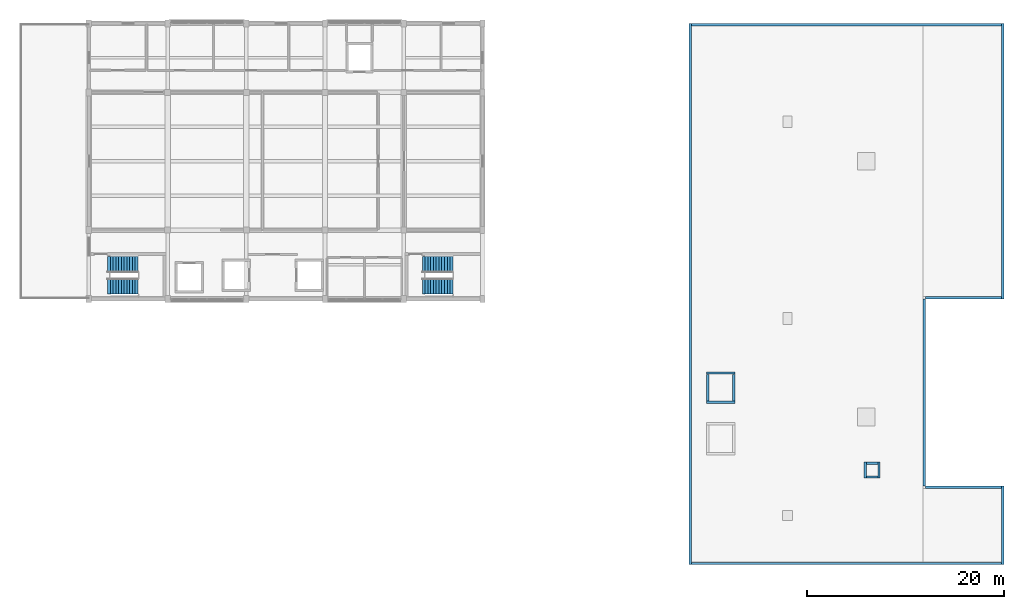
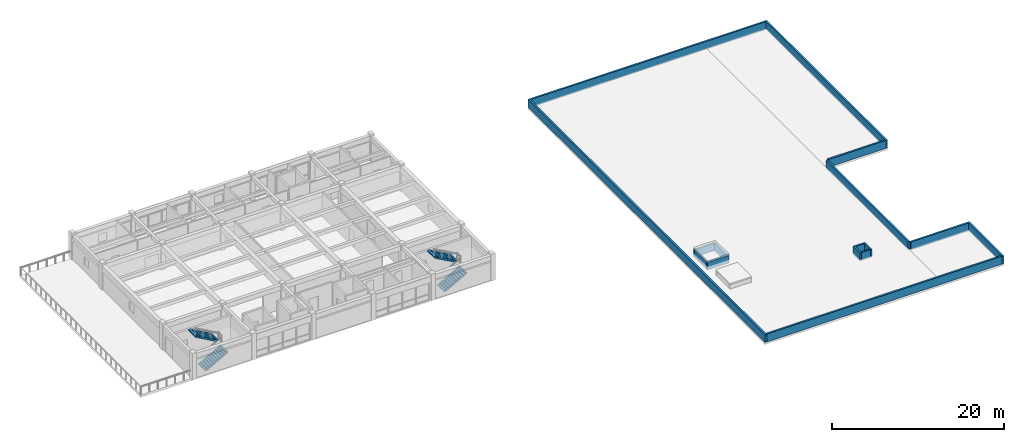
# One storey, part 8 of 10: 16 walls, 4 stair flights, 2 elements without a shape of their own.
"""IFC4 building model written with IfcOpenShell, lengths in metres."""

from ifc_helpers import new_model, si_unit, direction, frame, frame_2d, origin, place, context, subcontext, project, spatial, polyline, rectangle, outline, extrude, material, layer, layer_set, type_object, element, aggregate, save


model = new_model("IFC4")

# Units and contexts
model_context = context("Model", 3, precision=1e-05, world=origin(), true_north=direction((0.0, 1.0)))
body_context = subcontext(model_context, "Body", "Model", "MODEL_VIEW")
ifc_project = project(units=[si_unit("LENGTHUNIT", "METRE"), si_unit("AREAUNIT", "SQUARE_METRE"), si_unit("VOLUMEUNIT", "CUBIC_METRE"), si_unit("PLANEANGLEUNIT", "RADIAN"), si_unit("MASSUNIT", "GRAM", prefix="KILO")], contexts=[model_context])

# Site, building, storey
site_placement = place(None, origin())
site = spatial("IfcSite", under=ifc_project, at=site_placement, CompositionType="ELEMENT")
building_placement = place(site_placement, origin())
building = spatial("IfcBuilding", under=site, at=building_placement, Name="Naurynzar Civic Courthouse", CompositionType="ELEMENT")
storey_placement = place(building_placement, frame((0.0, 0.0, 33.300048828125)))
storey = spatial("IfcBuildingStorey", under=building, at=storey_placement, Name="L09", CompositionType="ELEMENT", Elevation=33.300048828125)

# Walls
ifc_material_1 = material(Name="Precast concrete C40/50", Category="concrete")
ifc_layer_1 = layer(ifc_material_1, 0.219970703125)
ifc_layer_set_1 = layer_set([ifc_layer_1], Name="WL-PARA-220")
wall_type_1 = type_object("IfcWallType", Name="WL-PARA-220", PredefinedType="PARAPET", material=ifc_layer_set_1)
for number, where, z_axis, x_axis, name in (
    (1, (147.89990234375, 25.7900390625, 0.0), (0.0, 0.0, 1.0), (0.0, 1.0, 0.0), "Roof perimeter parapet V5M-RS.46"),
    (2, (149.300048828125, 27.409912109375, 0.0), (0.0, 0.0, 1.0), (0.0, -1.0, 0.0), "Roof perimeter parapet V5M-RS.47"),
):
    element("IfcWall", number, at=place(storey_placement, frame(where, z_axis=z_axis, x_axis=x_axis)), inside=storey, type_object=wall_type_1, Name=name, PredefinedType="PARAPET", context=body_context, shape_type="SweptSolid", body=[
        extrude(rectangle(XDim=1.619873046875, YDim=0.219970703125, at=frame_2d((0.81005859375, 0.0))), origin(), (0.0, 0.0, 1.0), 1.119873046875),
    ])
for number, where, z_axis, x_axis, name in (
    (3, (148.010009765625, 27.300048828125, 0.0), (0.0, 0.0, 1.0), (1.0, 0.0, 0.0), "Roof perimeter parapet V5M-RS.48"),
    (4, (149.18994140625, 25.89990234375, 0.0), (0.0, 0.0, 1.0), (-1.0, 0.0, 0.0), "Roof perimeter parapet V5M-RS.49"),
):
    element("IfcWall", number, at=place(storey_placement, frame(where, z_axis=z_axis, x_axis=x_axis)), inside=storey, type_object=wall_type_1, Name=name, PredefinedType="PARAPET", context=body_context, shape_type="SweptSolid", body=[
        extrude(rectangle(XDim=1.179931640625, YDim=0.219970703125, at=frame_2d((0.58984375, 0.0))), origin(), (0.0, 0.0, 1.0), 1.119873046875),
    ])
ifc_material_2 = material(Name="Precast concrete C40/50", Category="concrete")
ifc_layer_2 = layer(ifc_material_2, 0.239990234375)
ifc_layer_set_2 = layer_set([ifc_layer_2], Name="WL-PARA-240")
wall_type_2 = type_object("IfcWallType", Name="WL-PARA-240", PredefinedType="PARAPET", material=ifc_layer_set_2)
wall_1_placement = place(storey_placement, frame((130.1201171875, 17.0, 0.0), z_axis=(0.0, 0.0, 1.0), x_axis=(0.0, 1.0, 0.0)))
element("IfcWall", 5, at=wall_1_placement, inside=storey, type_object=wall_type_2, Name="Roof perimeter parapet V5-RF.8", PredefinedType="PARAPET", context=body_context, shape_type="SweptSolid", body=[
    extrude(rectangle(XDim=55.0, YDim=0.239990234375, at=frame_2d((27.5, 0.0))), origin(), (0.0, 0.0, 1.0), 1.119873046875),
])
wall_2_placement = place(storey_placement, frame((130.239990234375, 71.8798828125, 0.0), z_axis=(0.0, 0.0, 1.0), x_axis=(1.0, 0.0, 0.0)))
element("IfcWall", 6, at=wall_2_placement, inside=storey, type_object=wall_type_2, Name="Roof perimeter parapet V5-RF.9", PredefinedType="PARAPET", context=body_context, shape_type="SweptSolid", body=[
    extrude(rectangle(XDim=31.52001953125, YDim=0.239990234375, at=frame_2d((15.760009765625, 0.0))), origin(), (0.0, 0.0, 1.0), 1.119873046875),
])
wall_3_placement = place(storey_placement, frame((161.8798828125, 72.0, 0.0), z_axis=(0.0, 0.0, 1.0), x_axis=(0.0, -1.0, 0.0)))
element("IfcWall", 7, at=wall_3_placement, inside=storey, type_object=wall_type_2, Name="Roof perimeter parapet V5-RF.10", PredefinedType="PARAPET", context=body_context, shape_type="SweptSolid", body=[
    extrude(rectangle(XDim=28.0, YDim=0.239990234375, at=frame_2d((14.0, 0.0))), origin(), (0.0, 0.0, 1.0), 1.119873046875),
])
wall_4_placement = place(storey_placement, frame((161.760009765625, 44.1201171875, 0.0), z_axis=(0.0, 0.0, 1.0), x_axis=(-1.0, 0.0, 0.0)))
element("IfcWall", 8, at=wall_4_placement, inside=storey, type_object=wall_type_2, Name="Roof perimeter parapet V5-RF.11", PredefinedType="PARAPET", context=body_context, shape_type="SweptSolid", body=[
    extrude(rectangle(XDim=7.760009765625, YDim=0.239990234375, at=frame_2d((3.8798828125, 0.0))), origin(), (0.0, 0.0, 1.0), 1.119873046875),
])
wall_5_placement = place(storey_placement, frame((153.8798828125, 44.0, 0.0), z_axis=(0.0, 0.0, 1.0), x_axis=(0.0, -1.0, 0.0)))
element("IfcWall", 9, at=wall_5_placement, inside=storey, type_object=wall_type_2, Name="Roof perimeter parapet V5-RF.12", PredefinedType="PARAPET", context=body_context, shape_type="SweptSolid", body=[
    extrude(rectangle(XDim=19.0, YDim=0.239990234375, at=frame_2d((9.5, 0.0))), origin(), (0.0, 0.0, 1.0), 1.119873046875),
])
wall_6_placement = place(storey_placement, frame((154.0, 24.8798828125, 0.0), z_axis=(0.0, 0.0, 1.0), x_axis=(1.0, 0.0, 0.0)))
element("IfcWall", 10, at=wall_6_placement, inside=storey, type_object=wall_type_2, Name="Roof perimeter parapet V5-RF.13", PredefinedType="PARAPET", context=body_context, shape_type="SweptSolid", body=[
    extrude(rectangle(XDim=7.760009765625, YDim=0.239990234375, at=frame_2d((3.8798828125, 0.0))), origin(), (0.0, 0.0, 1.0), 1.119873046875),
])
wall_7_placement = place(storey_placement, frame((161.8798828125, 25.0, 0.0), z_axis=(0.0, 0.0, 1.0), x_axis=(0.0, -1.0, 0.0)))
element("IfcWall", 11, at=wall_7_placement, inside=storey, type_object=wall_type_2, Name="Roof perimeter parapet V5-RF.14", PredefinedType="PARAPET", context=body_context, shape_type="SweptSolid", body=[
    extrude(rectangle(XDim=8.0, YDim=0.239990234375, at=frame_2d((4.0, 0.0))), origin(), (0.0, 0.0, 1.0), 1.119873046875),
])
wall_8_placement = place(storey_placement, frame((161.760009765625, 17.1201171875, 0.0), z_axis=(0.0, 0.0, 1.0), x_axis=(-1.0, 0.0, 0.0)))
element("IfcWall", 12, at=wall_8_placement, inside=storey, type_object=wall_type_2, Name="Roof perimeter parapet V5-RF.15", PredefinedType="PARAPET", context=body_context, shape_type="SweptSolid", body=[
    extrude(rectangle(XDim=31.52001953125, YDim=0.239990234375, at=frame_2d((15.760009765625, 0.0))), origin(), (0.0, 0.0, 1.0), 1.119873046875),
])
ifc_material_3 = material(Name="Concrete C40/50", Category="concrete")
ifc_layer_3 = layer(ifc_material_3, 0.25)
ifc_layer_set_3 = layer_set([ifc_layer_3], Name="WL-SHAFT-250")
wall_type_3 = type_object("IfcWallType", Name="WL-SHAFT-250", PredefinedType="SHEAR", material=ifc_layer_set_3)
for number, where, z_axis, x_axis, name in (
    (13, (131.75, 33.52490234375, -0.280029296875), (0.0, 0.0, 1.0), (1.0, 0.0, 0.0), "Lift LP-05 overrun shaft wall south"),
    (14, (134.64990234375, 36.47509765625, -0.280029296875), (0.0, 0.0, 1.0), (-1.0, 0.0, 0.0), "Lift LP-05 overrun shaft wall north"),
):
    element("IfcWall", number, at=place(storey_placement, frame(where, z_axis=z_axis, x_axis=x_axis)), inside=storey, type_object=wall_type_3, Name=name, PredefinedType="SHEAR", context=body_context, shape_type="SweptSolid", body=[
        extrude(rectangle(XDim=2.89990234375, YDim=0.25, at=frame_2d((1.449951171875, 0.0))), origin(), (0.0, 0.0, 1.0), 1.080078125),
    ])
for number, where, z_axis, x_axis, name in (
    (15, (131.875, 36.344970703125, -0.280029296875), (0.0, 0.0, 1.0), (0.0, -1.0, 0.0), "Lift LP-05 overrun shaft wall west"),
    (16, (134.52490234375, 33.655029296875, -0.280029296875), (0.0, 0.0, 1.0), (0.0, 1.0, 0.0), "Lift LP-05 overrun shaft wall east"),
):
    element("IfcWall", number, at=place(storey_placement, frame(where, z_axis=z_axis, x_axis=x_axis)), inside=storey, type_object=wall_type_3, Name=name, PredefinedType="SHEAR", context=body_context, shape_type="SweptSolid", body=[
        extrude(rectangle(XDim=2.68994140625, YDim=0.25, at=frame_2d((1.344970703125, 0.0))), origin(), (0.0, 0.0, 1.0), 1.080078125),
    ])

# Stair, stair flights
ifc_material_4 = material(Name="Concrete C35/45", Category="concrete")
stair_type = type_object("IfcStairType", Name="STAIR-CORE-1600", PredefinedType="TWO_STRAIGHT_RUN_STAIR", material=ifc_material_4)
stair_1_placement = place(storey_placement, origin())
stair_1 = element("IfcStair", 17, at=stair_1_placement, inside=storey, type_object=stair_type, Name="Enclosed escape stair ST-V2A L09", PredefinedType="TWO_STRAIGHT_RUN_STAIR")
ifc_material_5 = material(Name="Concrete C35/45", Category="concrete")
stair_flight_type = type_object("IfcStairFlightType", Name="FLIGHT-RC-1600", PredefinedType="STRAIGHT", material=ifc_material_5)
stair_flight_1_placement = place(storey_placement, frame((70.89990234375, 45.280029296875, 0.0), z_axis=(0.0, 0.0, 1.0), x_axis=(1.0, 0.0, 0.0)))
stair_flight_1 = element("IfcStairFlight", 18, at=stair_flight_1_placement, type_object=stair_flight_type, Name="ST-V2A-L09 flight 1", NumberOfRisers=12, NumberOfTreads=11, PredefinedType="STRAIGHT", RiserHeight=0.15625, TreadLength=0.28, context=body_context, shape_type="SweptSolid", body=[
    extrude(outline(polyline([(0.0, 0.0), (0.0, 0.15625), (0.280029296875, 0.15625), (0.280029296875, 0.3125), (0.56005859375, 0.3125), (0.56005859375, 0.46875), (0.840087890625, 0.46875), (0.840087890625, 0.625), (1.1201171875, 0.625), (1.1201171875, 0.78125), (1.39990234375, 0.78125), (1.39990234375, 0.9375), (1.679931640625, 0.9375), (1.679931640625, 1.09375), (1.9599609375, 1.09375), (1.9599609375, 1.25), (2.239990234375, 1.25), (2.239990234375, 1.40625), (2.52001953125, 1.40625), (2.52001953125, 1.5625), (2.800048828125, 1.5625), (2.800048828125, 1.71875), (3.080078125, 1.71875), (3.080078125, 1.875), (3.080078125, 1.5126953125), (0.369140625, 0.0), (0.0, 0.0)])), frame((0.0, 0.800048828125, 0.0), z_axis=(0.0, -1.0, 0.0), x_axis=(1.0, 0.0, 0.0)), (0.0, 0.0, 1.0), 1.60009765625),
])
stair_flight_2_placement = place(storey_placement, frame((73.97998046875, 47.52001953125, 1.875), z_axis=(0.0, 0.0, 1.0), x_axis=(-1.0, 0.0, 0.0)))
stair_flight_2 = element("IfcStairFlight", 19, at=stair_flight_2_placement, type_object=stair_flight_type, Name="ST-V2A-L09 flight 2", NumberOfRisers=12, NumberOfTreads=11, PredefinedType="STRAIGHT", RiserHeight=0.15625, TreadLength=0.28, context=body_context, shape_type="SweptSolid", body=[
    extrude(outline(polyline([(0.0, 0.0), (0.0, 0.15625), (0.280029296875, 0.15625), (0.280029296875, 0.3125), (0.56005859375, 0.3125), (0.56005859375, 0.46875), (0.840087890625, 0.46875), (0.840087890625, 0.625), (1.1201171875, 0.625), (1.1201171875, 0.78125), (1.39990234375, 0.78125), (1.39990234375, 0.9375), (1.679931640625, 0.9375), (1.679931640625, 1.09375), (1.9599609375, 1.09375), (1.9599609375, 1.25), (2.239990234375, 1.25), (2.239990234375, 1.40625), (2.52001953125, 1.40625), (2.52001953125, 1.5625), (2.800048828125, 1.5625), (2.800048828125, 1.71875), (3.080078125, 1.71875), (3.080078125, 1.875), (3.080078125, 1.5126953125), (0.369140625, 0.0), (0.0, 0.0)])), frame((0.0, 0.800048828125, 0.0), z_axis=(0.0, -1.0, 0.0), x_axis=(1.0, 0.0, 0.0)), (0.0, 0.0, 1.0), 1.60009765625),
])
aggregate(stair_1, [stair_flight_1, stair_flight_2])

stair_2_placement = place(storey_placement, origin())
stair_2 = element("IfcStair", 20, at=stair_2_placement, inside=storey, type_object=stair_type, Name="Enclosed escape stair ST-V2B L09", PredefinedType="TWO_STRAIGHT_RUN_STAIR")
stair_flight_3_placement = place(storey_placement, frame((102.89990234375, 45.280029296875, 0.0), z_axis=(0.0, 0.0, 1.0), x_axis=(1.0, 0.0, 0.0)))
stair_flight_3 = element("IfcStairFlight", 21, at=stair_flight_3_placement, type_object=stair_flight_type, Name="ST-V2B-L09 flight 1", NumberOfRisers=12, NumberOfTreads=11, PredefinedType="STRAIGHT", RiserHeight=0.15625, TreadLength=0.28, context=body_context, shape_type="SweptSolid", body=[
    extrude(outline(polyline([(0.0, 0.0), (0.0, 0.15625), (0.280029296875, 0.15625), (0.280029296875, 0.3125), (0.56005859375, 0.3125), (0.56005859375, 0.46875), (0.840087890625, 0.46875), (0.840087890625, 0.625), (1.1201171875, 0.625), (1.1201171875, 0.78125), (1.39990234375, 0.78125), (1.39990234375, 0.9375), (1.679931640625, 0.9375), (1.679931640625, 1.09375), (1.9599609375, 1.09375), (1.9599609375, 1.25), (2.239990234375, 1.25), (2.239990234375, 1.40625), (2.52001953125, 1.40625), (2.52001953125, 1.5625), (2.800048828125, 1.5625), (2.800048828125, 1.71875), (3.080078125, 1.71875), (3.080078125, 1.875), (3.080078125, 1.5126953125), (0.369140625, 0.0), (0.0, 0.0)])), frame((0.0, 0.800048828125, 0.0), z_axis=(0.0, -1.0, 0.0), x_axis=(1.0, 0.0, 0.0)), (0.0, 0.0, 1.0), 1.60009765625),
])
stair_flight_4_placement = place(storey_placement, frame((105.97998046875, 47.52001953125, 1.875), z_axis=(0.0, 0.0, 1.0), x_axis=(-1.0, 0.0, 0.0)))
stair_flight_4 = element("IfcStairFlight", 22, at=stair_flight_4_placement, type_object=stair_flight_type, Name="ST-V2B-L09 flight 2", NumberOfRisers=12, NumberOfTreads=11, PredefinedType="STRAIGHT", RiserHeight=0.15625, TreadLength=0.28, context=body_context, shape_type="SweptSolid", body=[
    extrude(outline(polyline([(0.0, 0.0), (0.0, 0.15625), (0.280029296875, 0.15625), (0.280029296875, 0.3125), (0.56005859375, 0.3125), (0.56005859375, 0.46875), (0.840087890625, 0.46875), (0.840087890625, 0.625), (1.1201171875, 0.625), (1.1201171875, 0.78125), (1.39990234375, 0.78125), (1.39990234375, 0.9375), (1.679931640625, 0.9375), (1.679931640625, 1.09375), (1.9599609375, 1.09375), (1.9599609375, 1.25), (2.239990234375, 1.25), (2.239990234375, 1.40625), (2.52001953125, 1.40625), (2.52001953125, 1.5625), (2.800048828125, 1.5625), (2.800048828125, 1.71875), (3.080078125, 1.71875), (3.080078125, 1.875), (3.080078125, 1.5126953125), (0.369140625, 0.0), (0.0, 0.0)])), frame((0.0, 0.800048828125, 0.0), z_axis=(0.0, -1.0, 0.0), x_axis=(1.0, 0.0, 0.0)), (0.0, 0.0, 1.0), 1.60009765625),
])
aggregate(stair_2, [stair_flight_3, stair_flight_4])

save(model, "model.ifc")
